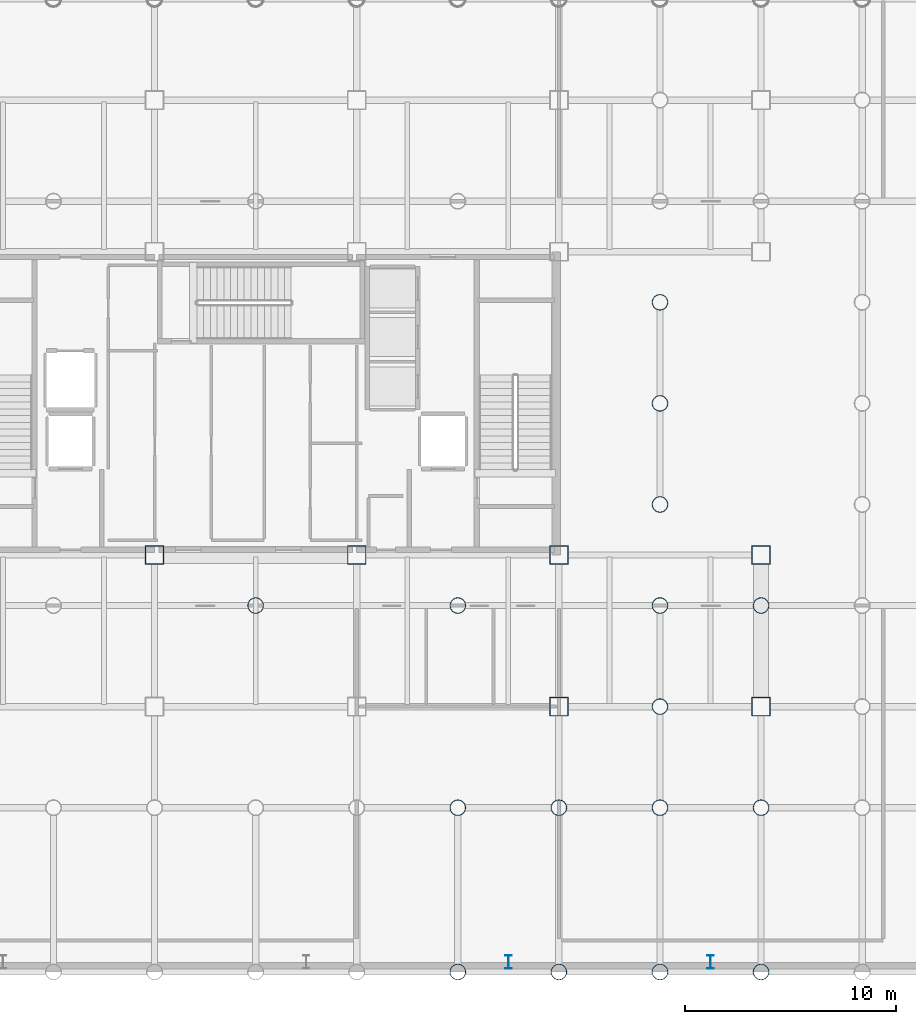
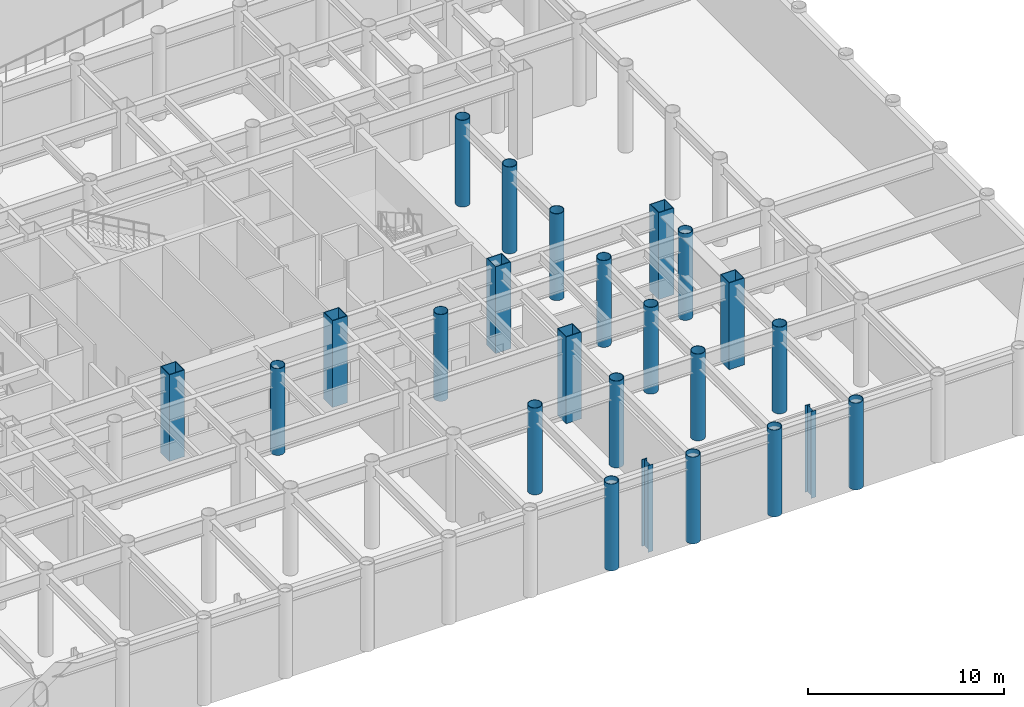
# One storey, part 2 of 16: 24 columns.
"""IFC4 building model written with IfcOpenShell, lengths in metres."""

from ifc_helpers import new_model, si_unit, direction, frame, origin, origin_2d, place, context, subcontext, project, spatial, hollow_rectangle, hollow_circle, i_section, extrude, material, material_profile, profile_set, type_object, element, save


model = new_model("IFC4")

# Units and contexts
model_context = context("Model", 3, precision=1e-05, world=origin(), true_north=direction((0.0, 1.0)))
body_context = subcontext(model_context, "Body", "Model", "MODEL_VIEW")
ifc_project = project(units=[si_unit("LENGTHUNIT", "METRE"), si_unit("AREAUNIT", "SQUARE_METRE"), si_unit("VOLUMEUNIT", "CUBIC_METRE"), si_unit("PLANEANGLEUNIT", "RADIAN"), si_unit("MASSUNIT", "GRAM", prefix="KILO")], contexts=[model_context])

# Site, building, storey
site_placement = place(None, origin())
site = spatial("IfcSite", under=ifc_project, at=site_placement, CompositionType="ELEMENT")
building_placement = place(site_placement, origin())
building = spatial("IfcBuilding", under=site, at=building_placement, Name="Kallvorn Hotel Tower", CompositionType="ELEMENT")
storey_placement = place(building_placement, frame((0.0, 0.0, -5.39990234375)))
storey = spatial("IfcBuildingStorey", under=building, at=storey_placement, Name="B1", CompositionType="ELEMENT", Elevation=-5.39990234375)

# Columns
ifc_material_1 = material(Name="Structural steel S355J2H", Category="steel")
ifc_material_profile_1 = material_profile(ifc_material_1, hollow_circle(Radius=0.381103515625, WallThickness=0.031982421875, at=origin_2d()), Name="CHS 762x32")
ifc_profile_set_1 = profile_set([ifc_material_profile_1], Name="Structural steel S355J2H")
column_type_1 = type_object("IfcColumnType", Name="COL_CHS_762", PredefinedType="COLUMN", material=ifc_profile_set_1)
for number, where, z_axis, x_axis, name in (
    (1, (0.0, -9.60009765625, 0.0), (0.0, 0.0, 1.0), (1.0, 0.0, 0.0), "B1 Exoskeleton Column EC56"),
    (2, (9.60009765625, -27.0, 0.0), (0.0, 0.0, 1.0), (1.0, 0.0, 0.0), "B1 Exoskeleton Column EC64"),
    (3, (9.60009765625, -19.199951171875, 0.0), (0.0, 0.0, 1.0), (1.0, 0.0, 0.0), "B1 Exoskeleton Column EC65"),
    (4, (9.60009765625, -9.60009765625, 0.0), (0.0, 0.0, 1.0), (1.0, 0.0, 0.0), "B1 Exoskeleton Column EC66"),
    (5, (14.39990234375, -27.0, 0.0), (0.0, 0.0, 1.0), (1.0, 0.0, 0.0), "B1 Exoskeleton Column EC70"),
    (6, (14.39990234375, -19.199951171875, 0.0), (0.0, 0.0, 1.0), (1.0, 0.0, 0.0), "B1 Exoskeleton Column EC71"),
    (7, (19.199951171875, -27.0, 0.0), (0.0, 0.0, 1.0), (1.0, 0.0, 0.0), "B1 Exoskeleton Column EC74"),
    (8, (19.199951171875, -19.199951171875, 0.0), (0.0, 0.0, 1.0), (1.0, 0.0, 0.0), "B1 Exoskeleton Column EC75"),
    (9, (19.199951171875, -14.39990234375, 0.0), (0.0, 0.0, 1.0), (1.0, 0.0, 0.0), "B1 Exoskeleton Column EC76"),
    (10, (19.199951171875, -9.60009765625, 0.0), (0.0, 0.0, 1.0), (1.0, 0.0, 0.0), "B1 Exoskeleton Column EC77"),
    (11, (19.199951171875, -4.800048828125, 0.0), (0.0, 0.0, 1.0), (1.0, 0.0, 0.0), "B1 Exoskeleton Column EC78"),
    (12, (19.199951171875, 0.0, 0.0), (0.0, 0.0, 1.0), (1.0, 0.0, 0.0), "B1 Exoskeleton Column EC79"),
    (13, (19.199951171875, 4.800048828125, 0.0), (0.0, 0.0, 1.0), (1.0, 0.0, 0.0), "B1 Exoskeleton Column EC80"),
    (14, (24.0, -27.0, 0.0), (0.0, 0.0, 1.0), (1.0, 0.0, 0.0), "B1 Exoskeleton Column EC85"),
    (15, (24.0, -19.199951171875, 0.0), (0.0, 0.0, 1.0), (1.0, 0.0, 0.0), "B1 Exoskeleton Column EC86"),
    (16, (24.0, -9.60009765625, 0.0), (0.0, 0.0, 1.0), (1.0, 0.0, 0.0), "B1 Exoskeleton Column EC87"),
):
    element("IfcColumn", number, at=place(storey_placement, frame(where, z_axis=z_axis, x_axis=x_axis)), inside=storey, type_object=column_type_1, Name=name, PredefinedType="COLUMN", context=body_context, shape_type="SweptSolid", body=[
        extrude(hollow_circle(Radius=0.381103515625, WallThickness=0.031982421875, at=origin_2d()), origin(), (0.0, 0.0, 1.0), 5.39990234375),
    ])
ifc_material_2 = material(Name="Structural steel S355J2H", Category="steel")
ifc_material_profile_2 = material_profile(ifc_material_2, hollow_rectangle(XDim=0.89990234375, YDim=0.89990234375, WallThickness=0.0400390625, at=origin_2d()), Name="RHS 900x900x40")
ifc_profile_set_2 = profile_set([ifc_material_profile_2], Name="Structural steel S355J2H")
column_type_2 = type_object("IfcColumnType", Name="COL_RHS_900", PredefinedType="COLUMN", material=ifc_profile_set_2)
for number, where, z_axis, x_axis, name in (
    (17, (-4.800048828125, -7.199951171875, 0.0), (0.0, 0.0, 1.0), (1.0, 0.0, 0.0), "B1 Inner Column IC10"),
    (18, (4.800048828125, -7.199951171875, 0.0), (0.0, 0.0, 1.0), (1.0, 0.0, 0.0), "B1 Inner Column IC14"),
    (19, (14.39990234375, -14.39990234375, 0.0), (0.0, 0.0, 1.0), (1.0, 0.0, 0.0), "B1 Inner Column IC17"),
    (20, (14.39990234375, -7.199951171875, 0.0), (0.0, 0.0, 1.0), (1.0, 0.0, 0.0), "B1 Inner Column IC18"),
    (21, (24.0, -14.39990234375, 0.0), (0.0, 0.0, 1.0), (1.0, 0.0, 0.0), "B1 Inner Column IC21"),
    (22, (24.0, -7.199951171875, 0.0), (0.0, 0.0, 1.0), (1.0, 0.0, 0.0), "B1 Inner Column IC22"),
):
    element("IfcColumn", number, at=place(storey_placement, frame(where, z_axis=z_axis, x_axis=x_axis)), inside=storey, type_object=column_type_2, Name=name, PredefinedType="COLUMN", context=body_context, shape_type="SweptSolid", body=[
        extrude(hollow_rectangle(XDim=0.89990234375, YDim=0.89990234375, WallThickness=0.0400390625, at=origin_2d()), origin(), (0.0, 0.0, 1.0), 5.39990234375),
    ])
ifc_material_3 = material(Name="Structural steel S355JR", Category="steel")
ifc_material_profile_3 = material_profile(ifc_material_3, i_section(OverallWidth=0.300048828125, OverallDepth=0.64990234375, WebThickness=0.01611328125, FlangeThickness=0.031005859375, at=origin_2d()), Name="HE 650 B")
ifc_profile_set_3 = profile_set([ifc_material_profile_3], Name="Structural steel S355JR")
column_type_3 = type_object("IfcColumnType", Name="PILASTER_HE650B", PredefinedType="PILASTER", material=ifc_profile_set_3)
for number, where, z_axis, x_axis, name in (
    (23, (12.0, -26.52001953125, 0.0), (0.0, 0.0, 1.0), (1.0, 0.0, 0.0), "B1 Chicago Colonnade Pilaster 04"),
    (24, (21.60009765625, -26.52001953125, 0.0), (0.0, 0.0, 1.0), (1.0, 0.0, 0.0), "B1 Chicago Colonnade Pilaster 05"),
):
    element("IfcColumn", number, at=place(storey_placement, frame(where, z_axis=z_axis, x_axis=x_axis)), inside=storey, type_object=column_type_3, Name=name, PredefinedType="PILASTER", context=body_context, shape_type="SweptSolid", body=[
        extrude(i_section(OverallWidth=0.300048828125, OverallDepth=0.64990234375, WebThickness=0.01611328125, FlangeThickness=0.031005859375, at=origin_2d()), origin(), (0.0, 0.0, 1.0), 5.39990234375),
    ])

save(model, "model.ifc")
